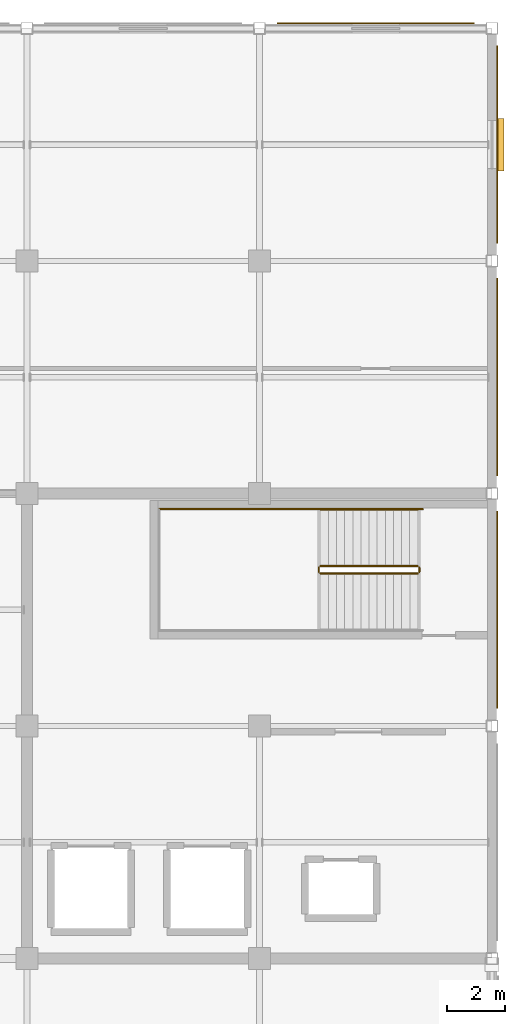
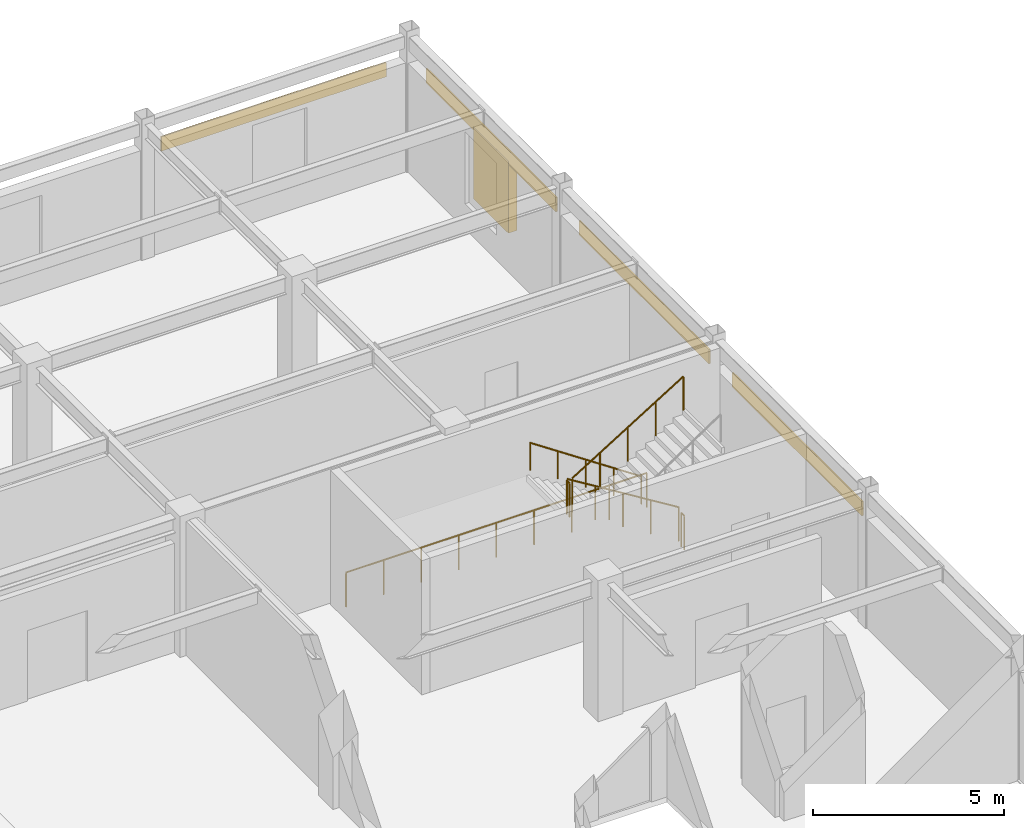
# One storey, part 92 of 93: 6 railings, 4 coverings, 1 shading device.
"""IFC4 building model written with IfcOpenShell, lengths in metres."""

from ifc_helpers import new_model, si_unit, direction, frame, origin, origin_2d, place, context, subcontext, project, spatial, rectangle, circle, extrude, material, layer, layer_set, type_object, element, save


model = new_model("IFC4")

# Units and contexts
model_context = context("Model", 3, precision=1e-05, world=origin(), true_north=direction((0.0, 1.0)))
body_context = subcontext(model_context, "Body", "Model", "MODEL_VIEW")
ifc_project = project(units=[si_unit("LENGTHUNIT", "METRE"), si_unit("AREAUNIT", "SQUARE_METRE"), si_unit("VOLUMEUNIT", "CUBIC_METRE"), si_unit("PLANEANGLEUNIT", "RADIAN"), si_unit("MASSUNIT", "GRAM", prefix="KILO")], contexts=[model_context])

# Site, building, storey
site_placement = place(None, origin())
site = spatial("IfcSite", under=ifc_project, at=site_placement, CompositionType="ELEMENT")
building_placement = place(site_placement, origin())
building = spatial("IfcBuilding", under=site, at=building_placement, Name="Solmirada Galleria", CompositionType="ELEMENT")
storey_placement = place(building_placement, frame((0.0, 0.0, 14.89990234375)))
storey = spatial("IfcBuildingStorey", under=building, at=storey_placement, Name="L03", CompositionType="ELEMENT", Elevation=14.89990234375)

# Coverings
ifc_material_1 = material(Name="Limestone cladding panels", Category="masonry")
ifc_layer_1 = layer(ifc_material_1, 0.044921875)
ifc_layer_set_1 = layer_set([ifc_layer_1], Name="Limestone cladding panels")
covering_type_1 = type_object("IfcCoveringType", Name="COV-CLAD-LIME", PredefinedType="CLADDING", material=ifc_layer_set_1)
for number, where, z_axis, x_axis, name in (
    (1, (176.177490234375, 116.0, 2.990234375), (0.0, 0.0, 1.0), (0.0, -1.0, 0.0), "Postmodern facade cladding L03-228"),
    (2, (176.177490234375, 100.0, 2.990234375), (0.0, 0.0, 1.0), (0.0, -1.0, 0.0), "Postmodern facade cladding L03-230"),
):
    element("IfcCovering", number, at=place(storey_placement, frame(where, z_axis=z_axis, x_axis=x_axis)), inside=storey, type_object=covering_type_1, Name=name, PredefinedType="CLADDING", context=body_context, shape_type="SweptSolid", body=[
        extrude(rectangle(XDim=6.7939453125, YDim=0.044921875, at=origin_2d()), origin(), (0.0, 0.0, 1.0), 0.4599609375),
    ])
ifc_material_2 = material(Name="Glazed terracotta facade panels", Category="masonry")
ifc_layer_2 = layer(ifc_material_2, 0.0400390625)
ifc_layer_set_2 = layer_set([ifc_layer_2], Name="Glazed terracotta facade panels")
covering_type_2 = type_object("IfcCoveringType", Name="COV-CLAD-TERRA", PredefinedType="CLADDING", material=ifc_layer_set_2)
for number, where, z_axis, x_axis, name in (
    (3, (172.0, 120.175048828125, 2.990234375), (0.0, 0.0, 1.0), (1.0, 0.0, 0.0), "Postmodern facade cladding L03-227"),
    (4, (176.175048828125, 108.0, 2.990234375), (0.0, 0.0, 1.0), (0.0, -1.0, 0.0), "Postmodern facade cladding L03-229"),
):
    element("IfcCovering", number, at=place(storey_placement, frame(where, z_axis=z_axis, x_axis=x_axis)), inside=storey, type_object=covering_type_2, Name=name, PredefinedType="CLADDING", context=body_context, shape_type="SweptSolid", body=[
        extrude(rectangle(XDim=6.7939453125, YDim=0.0400390625, at=origin_2d()), origin(), (0.0, 0.0, 1.0), 0.4599609375),
    ])

# Railings
ifc_material_3 = material(Name="Painted steel tubular railing", Category="steel")
railing_type_1 = type_object("IfcRailingType", Name="RAIL-STAIR-GUARD", PredefinedType="GUARDRAIL", material=ifc_material_3)
railing_1_placement = place(storey_placement, frame((173.449951171875, 101.5, 0.173095703125)))
element("IfcRailing", 5, at=railing_1_placement, inside=storey, type_object=railing_type_1, Name="L03 ST4 stair guard 1", PredefinedType="GUARDRAIL", context=body_context, shape_type="SweptSolid", body=[
    extrude(circle(Radius=0.02392578125, at=origin_2d()), frame((0.0, 0.0, 1.076171875), z_axis=(-0.850606129759, 0.0, 0.525803396734), x_axis=(0.0, -1.0, 0.0)), (0.0, 0.0, 1.0), 3.949951171875),
    extrude(circle(Radius=0.02099609375, at=origin_2d()), origin(), (0.0, 0.0, 1.0), 1.048095703125),
    extrude(circle(Radius=0.02099609375, at=origin_2d()), frame((-0.83984375, 0.0, 0.519287109375)), (0.0, 0.0, 1.0), 1.048095703125),
    extrude(circle(Radius=0.02099609375, at=origin_2d()), frame((-1.679931640625, 0.0, 1.03857421875)), (0.0, 0.0, 1.0), 1.048095703125),
    extrude(circle(Radius=0.02099609375, at=origin_2d()), frame((-2.52001953125, 0.0, 1.5576171875)), (0.0, 0.0, 1.0), 1.048095703125),
    extrude(circle(Radius=0.02099609375, at=origin_2d()), frame((-3.35986328125, 0.0, 2.076904296875)), (0.0, 0.0, 1.0), 1.048095703125),
])
railing_2_placement = place(storey_placement, frame((170.0400390625, 101.449951171875, 2.25)))
element("IfcRailing", 6, at=railing_2_placement, inside=storey, type_object=railing_type_1, Name="L03 ST4 stair guard 2", PredefinedType="GUARDRAIL", context=body_context, shape_type="SweptSolid", body=[
    extrude(circle(Radius=0.02392578125, at=origin_2d()), frame((0.0, 0.0, 1.076171875), z_axis=(0.0, -1.0, 0.0), x_axis=(1.0, 0.0, 0.0)), (0.0, 0.0, 1.0), 0.14990234375),
    extrude(circle(Radius=0.02099609375, at=origin_2d()), origin(), (0.0, 0.0, 1.0), 1.048095703125),
    extrude(circle(Radius=0.02099609375, at=origin_2d()), frame((0.0, -0.14990234375, 0.0)), (0.0, 0.0, 1.0), 1.048095703125),
])
railing_3_placement = place(storey_placement, frame((170.090087890625, 101.25, 2.423095703125)))
element("IfcRailing", 7, at=railing_3_placement, inside=storey, type_object=railing_type_1, Name="L03 ST4 stair guard 3", PredefinedType="GUARDRAIL", context=body_context, shape_type="SweptSolid", body=[
    extrude(circle(Radius=0.02392578125, at=origin_2d()), frame((0.0, 0.0, 1.076171875), z_axis=(0.850606129759, 0.0, 0.525803396734), x_axis=(0.0, 1.0, 0.0)), (0.0, 0.0, 1.0), 3.949951171875),
    extrude(circle(Radius=0.02099609375, at=origin_2d()), origin(), (0.0, 0.0, 1.0), 1.048095703125),
    extrude(circle(Radius=0.02099609375, at=origin_2d()), frame((0.83984375, 0.0, 0.519287109375)), (0.0, 0.0, 1.0), 1.048095703125),
    extrude(circle(Radius=0.02099609375, at=origin_2d()), frame((1.679931640625, 0.0, 1.03857421875)), (0.0, 0.0, 1.0), 1.048095703125),
    extrude(circle(Radius=0.02099609375, at=origin_2d()), frame((2.52001953125, 0.0, 1.5576171875)), (0.0, 0.0, 1.0), 1.048095703125),
    extrude(circle(Radius=0.02099609375, at=origin_2d()), frame((3.35986328125, 0.0, 2.076904296875)), (0.0, 0.0, 1.0), 1.048095703125),
])
railing_4_placement = place(storey_placement, frame((173.5, 101.449951171875, 0.0)))
element("IfcRailing", 8, at=railing_4_placement, inside=storey, type_object=railing_type_1, Name="L03 ST4 stair guard 4", PredefinedType="GUARDRAIL", context=body_context, shape_type="SweptSolid", body=[
    extrude(circle(Radius=0.02392578125, at=origin_2d()), frame((0.0, 0.0, 1.076171875), z_axis=(0.0, -1.0, 0.0), x_axis=(1.0, 0.0, 0.0)), (0.0, 0.0, 1.0), 0.14990234375),
    extrude(circle(Radius=0.02099609375, at=origin_2d()), origin(), (0.0, 0.0, 1.0), 1.048095703125),
    extrude(circle(Radius=0.02099609375, at=origin_2d()), frame((0.0, -0.14990234375, 0.0)), (0.0, 0.0, 1.0), 1.048095703125),
])
railing_5_placement = place(storey_placement, frame((164.5400390625, 103.4599609375, 0.0)))
element("IfcRailing", 9, at=railing_5_placement, inside=storey, type_object=railing_type_1, Name="Stair ST4 well edge guard L03-3", PredefinedType="GUARDRAIL", context=body_context, shape_type="SweptSolid", body=[
    extrude(circle(Radius=0.02392578125, at=origin_2d()), frame((0.0, 0.0, 1.09619140625), z_axis=(1.0, 0.0, 0.0), x_axis=(0.0, 1.0, 0.0)), (0.0, 0.0, 1.0), 9.080078125),
    extrude(circle(Radius=0.02099609375, at=origin_2d()), origin(), (0.0, 0.0, 1.0), 1.068115234375),
    extrude(circle(Radius=0.02099609375, at=origin_2d()), frame((1.135009765625, 0.0, 0.0)), (0.0, 0.0, 1.0), 1.068115234375),
    extrude(circle(Radius=0.02099609375, at=origin_2d()), frame((2.27001953125, 0.0, 0.0)), (0.0, 0.0, 1.0), 1.068115234375),
    extrude(circle(Radius=0.02099609375, at=origin_2d()), frame((3.405029296875, 0.0, 0.0)), (0.0, 0.0, 1.0), 1.068115234375),
    extrude(circle(Radius=0.02099609375, at=origin_2d()), frame((4.5400390625, 0.0, 0.0)), (0.0, 0.0, 1.0), 1.068115234375),
    extrude(circle(Radius=0.02099609375, at=origin_2d()), frame((5.675048828125, 0.0, 0.0)), (0.0, 0.0, 1.0), 1.068115234375),
    extrude(circle(Radius=0.02099609375, at=origin_2d()), frame((6.81005859375, 0.0, 0.0)), (0.0, 0.0, 1.0), 1.068115234375),
    extrude(circle(Radius=0.02099609375, at=origin_2d()), frame((7.945068359375, 0.0, 0.0)), (0.0, 0.0, 1.0), 1.068115234375),
    extrude(circle(Radius=0.02099609375, at=origin_2d()), frame((9.080078125, 0.0, 0.0)), (0.0, 0.0, 1.0), 1.068115234375),
])
railing_type_2 = type_object("IfcRailingType", Name="RAIL-STAIR-HAND", PredefinedType="HANDRAIL", material=ifc_material_3)
railing_6_placement = place(storey_placement, frame((173.449951171875, 103.449951171875, 0.173095703125)))
element("IfcRailing", 10, at=railing_6_placement, inside=storey, type_object=railing_type_2, Name="L03 ST4 stair handrail 1", PredefinedType="HANDRAIL", context=body_context, shape_type="SweptSolid", body=[
    extrude(circle(Radius=0.02392578125, at=origin_2d()), frame((0.0, 0.0, 0.8759765625), z_axis=(-0.830896709279, 0.0, 0.556426687452), x_axis=(0.0, -1.0, 0.0)), (0.0, 0.0, 1.0), 4.043701171875),
    extrude(circle(Radius=0.02099609375, at=origin_2d()), origin(), (0.0, 0.0, 1.0), 0.847900390625),
    extrude(circle(Radius=0.02099609375, at=origin_2d()), frame((-0.83984375, 0.0, 0.5625)), (0.0, 0.0, 1.0), 0.847900390625),
    extrude(circle(Radius=0.02099609375, at=origin_2d()), frame((-1.679931640625, 0.0, 1.125)), (0.0, 0.0, 1.0), 0.847900390625),
    extrude(circle(Radius=0.02099609375, at=origin_2d()), frame((-2.52001953125, 0.0, 1.6875)), (0.0, 0.0, 1.0), 0.847900390625),
    extrude(circle(Radius=0.02099609375, at=origin_2d()), frame((-3.35986328125, 0.0, 2.25)), (0.0, 0.0, 1.0), 0.847900390625),
])

# Shading device
ifc_material_4 = material(Name="Extruded aluminium storm louvres", Category="aluminium")
shading_device_type = type_object("IfcShadingDeviceType", Name="SHD-JALOUSIE", PredefinedType="JALOUSIE", material=ifc_material_4)
shading_device_placement = place(storey_placement, frame((176.284912109375, 116.0, 0.80029296875), z_axis=(0.0, 0.0, 1.0), x_axis=(0.0, -1.0, 0.0)))
element("IfcShadingDevice", 11, at=shading_device_placement, inside=storey, type_object=shading_device_type, Name="Hurricane storm jalousie louvre 074", PredefinedType="JALOUSIE", context=body_context, shape_type="SweptSolid", body=[
    extrude(rectangle(XDim=1.81005859375, YDim=0.260009765625, at=origin_2d()), origin(), (0.0, 0.0, 1.0), 2.300048828125),
])

save(model, "model.ifc")
